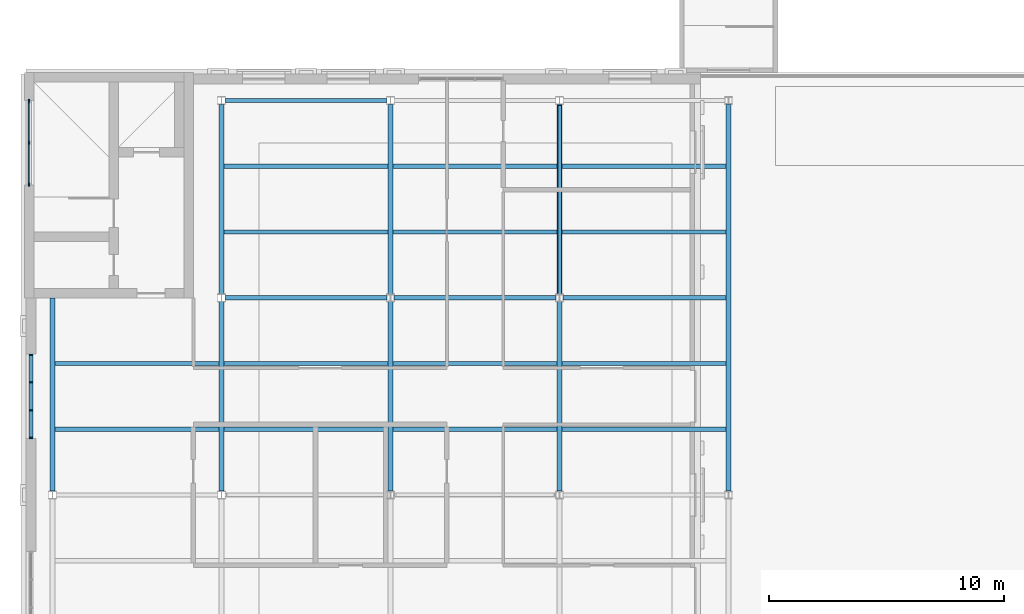
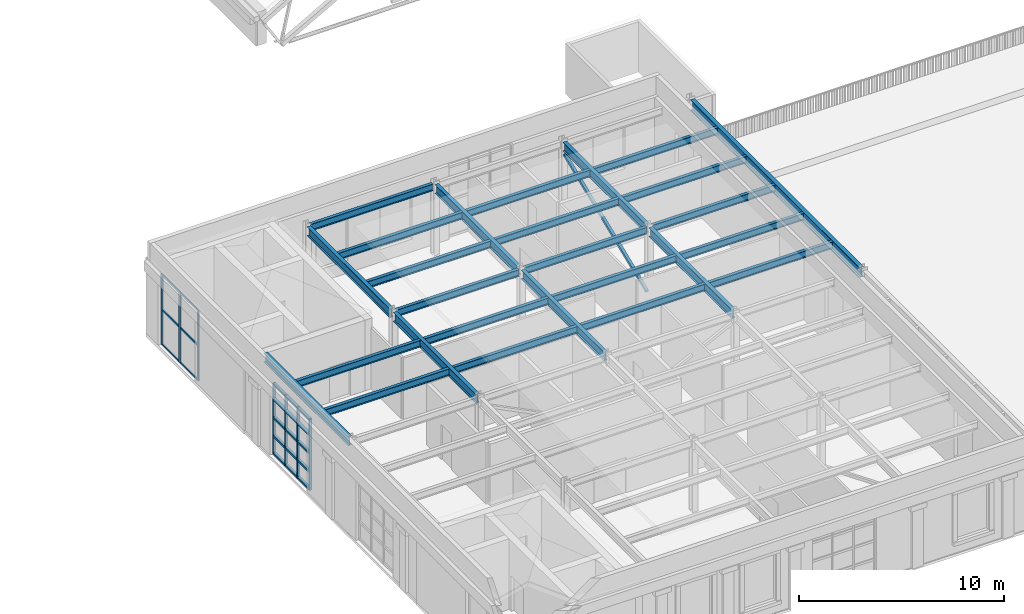
# One storey, part 5 of 127: 29 members, 26 beams, 2 elements without a shape of their own.
"""IFC4 building model written with IfcOpenShell, lengths in metres."""

from ifc_helpers import new_model, si_unit, direction, frame, origin, origin_2d, place, context, subcontext, project, spatial, rectangle, hollow_rectangle, i_section, extrude, material, layer, layer_set, material_profile, profile_set, type_object, element, aggregate, save


model = new_model("IFC4")

# Units and contexts
model_context = context("Model", 3, precision=1e-05, world=origin(), true_north=direction((0.0, 1.0)))
body_context = subcontext(model_context, "Body", "Model", "MODEL_VIEW")
ifc_project = project(units=[si_unit("LENGTHUNIT", "METRE"), si_unit("AREAUNIT", "SQUARE_METRE"), si_unit("VOLUMEUNIT", "CUBIC_METRE"), si_unit("PLANEANGLEUNIT", "RADIAN"), si_unit("MASSUNIT", "GRAM", prefix="KILO")], contexts=[model_context])

# Site, building, storey
site_placement = place(None, origin())
site = spatial("IfcSite", under=ifc_project, at=site_placement, CompositionType="ELEMENT")
building_placement = place(site_placement, origin())
building = spatial("IfcBuilding", under=site, at=building_placement, Name="Verrick Yard Athletic Hall", CompositionType="ELEMENT")
storey_placement = place(building_placement, frame((0.0, 0.0, 14.0)))
storey = spatial("IfcBuildingStorey", under=building, at=storey_placement, Name="L03", CompositionType="ELEMENT", Elevation=14.0)

# Curtain wall, members
ifc_material_1 = material(Name="Aluminium 6063-T5", Category="aluminium")
curtain_wall_type_1 = type_object("IfcCurtainWallType", Name="Core glazing strip", PredefinedType="NOTDEFINED", material=ifc_material_1)
curtain_wall_1_placement = place(storey_placement, origin())
curtain_wall_1 = element("IfcCurtainWall", 1, at=curtain_wall_1_placement, inside=storey, type_object=curtain_wall_type_1, Name="CORE-CB2-CW-L03", PredefinedType="NOTDEFINED")
ifc_material_profile_1 = material_profile(ifc_material_1, rectangle(XDim=0.06005859375, YDim=0.159912109375, at=origin_2d()), Name="Core glazing mullion 60x160")
ifc_profile_set_1 = profile_set([ifc_material_profile_1], Name="Aluminium 6063-T5")
member_type_1 = type_object("IfcMemberType", Name="Core glazing mullion 60x160", PredefinedType="MULLION", material=ifc_profile_set_1)
member_1_placement = place(storey_placement, frame((10.199951171875, 49.22998046875, 0.0), z_axis=(0.0, 0.0, 1.0), x_axis=(-1.0, 0.0, 0.0)))
member_1 = element("IfcMember", 2, at=member_1_placement, type_object=member_type_1, Name="CW5 mullion 1", PredefinedType="MULLION", context=body_context, shape_type="SweptSolid", body=[
    extrude(rectangle(XDim=0.06005859375, YDim=0.159912109375, at=origin_2d()), origin(), (0.0, 0.0, 1.0), 4.199951171875),
])
member_2_placement = place(storey_placement, frame((10.199951171875, 51.0, 0.0), z_axis=(0.0, 0.0, 1.0), x_axis=(-1.0, 0.0, 0.0)))
member_2 = element("IfcMember", 3, at=member_2_placement, type_object=member_type_1, Name="CW5 mullion 2", PredefinedType="MULLION", context=body_context, shape_type="SweptSolid", body=[
    extrude(rectangle(XDim=0.06005859375, YDim=0.159912109375, at=origin_2d()), origin(), (0.0, 0.0, 1.0), 4.199951171875),
])
member_3_placement = place(storey_placement, frame((10.199951171875, 52.77001953125, 0.0), z_axis=(0.0, 0.0, 1.0), x_axis=(-1.0, 0.0, 0.0)))
member_3 = element("IfcMember", 4, at=member_3_placement, type_object=member_type_1, Name="CW5 mullion 3", PredefinedType="MULLION", context=body_context, shape_type="SweptSolid", body=[
    extrude(rectangle(XDim=0.06005859375, YDim=0.159912109375, at=origin_2d()), origin(), (0.0, 0.0, 1.0), 4.199951171875),
])
ifc_material_profile_2 = material_profile(ifc_material_1, rectangle(XDim=0.06005859375, YDim=0.1201171875, at=origin_2d()), Name="Core glazing transom 60x120")
ifc_profile_set_2 = profile_set([ifc_material_profile_2], Name="Aluminium 6063-T5")
member_type_2 = type_object("IfcMemberType", Name="Core glazing transom 60x120", PredefinedType="USERDEFINED", material=ifc_profile_set_2)
member_4_placement = place(storey_placement, frame((10.199951171875, 49.260009765625, 0.030029296875), z_axis=(0.0, 1.0, 0.0), x_axis=(-1.0, 0.0, 0.0)))
member_4 = element("IfcMember", 5, at=member_4_placement, type_object=member_type_2, Name="CW5 transom 1.1", ObjectType="TRANSOM", PredefinedType="USERDEFINED", context=body_context, shape_type="SweptSolid", body=[
    extrude(rectangle(XDim=0.06005859375, YDim=0.1201171875, at=origin_2d()), origin(), (0.0, 0.0, 1.0), 1.7099609375),
])
member_5_placement = place(storey_placement, frame((10.199951171875, 49.260009765625, 2.10009765625), z_axis=(0.0, 1.0, 0.0), x_axis=(-1.0, 0.0, 0.0)))
member_5 = element("IfcMember", 6, at=member_5_placement, type_object=member_type_2, Name="CW5 transom 1.2", ObjectType="TRANSOM", PredefinedType="USERDEFINED", context=body_context, shape_type="SweptSolid", body=[
    extrude(rectangle(XDim=0.06005859375, YDim=0.1201171875, at=origin_2d()), origin(), (0.0, 0.0, 1.0), 1.7099609375),
])
member_6_placement = place(storey_placement, frame((10.199951171875, 49.260009765625, 4.169921875), z_axis=(0.0, 1.0, 0.0), x_axis=(-1.0, 0.0, 0.0)))
member_6 = element("IfcMember", 7, at=member_6_placement, type_object=member_type_2, Name="CW5 transom 1.3", ObjectType="TRANSOM", PredefinedType="USERDEFINED", context=body_context, shape_type="SweptSolid", body=[
    extrude(rectangle(XDim=0.06005859375, YDim=0.1201171875, at=origin_2d()), origin(), (0.0, 0.0, 1.0), 1.7099609375),
])
member_7_placement = place(storey_placement, frame((10.199951171875, 51.030029296875, 0.030029296875), z_axis=(0.0, 1.0, 0.0), x_axis=(-1.0, 0.0, 0.0)))
member_7 = element("IfcMember", 8, at=member_7_placement, type_object=member_type_2, Name="CW5 transom 2.1", ObjectType="TRANSOM", PredefinedType="USERDEFINED", context=body_context, shape_type="SweptSolid", body=[
    extrude(rectangle(XDim=0.06005859375, YDim=0.1201171875, at=origin_2d()), origin(), (0.0, 0.0, 1.0), 1.7099609375),
])
member_8_placement = place(storey_placement, frame((10.199951171875, 51.030029296875, 2.10009765625), z_axis=(0.0, 1.0, 0.0), x_axis=(-1.0, 0.0, 0.0)))
member_8 = element("IfcMember", 9, at=member_8_placement, type_object=member_type_2, Name="CW5 transom 2.2", ObjectType="TRANSOM", PredefinedType="USERDEFINED", context=body_context, shape_type="SweptSolid", body=[
    extrude(rectangle(XDim=0.06005859375, YDim=0.1201171875, at=origin_2d()), origin(), (0.0, 0.0, 1.0), 1.7099609375),
])
member_9_placement = place(storey_placement, frame((10.199951171875, 51.030029296875, 4.169921875), z_axis=(0.0, 1.0, 0.0), x_axis=(-1.0, 0.0, 0.0)))
member_9 = element("IfcMember", 10, at=member_9_placement, type_object=member_type_2, Name="CW5 transom 2.3", ObjectType="TRANSOM", PredefinedType="USERDEFINED", context=body_context, shape_type="SweptSolid", body=[
    extrude(rectangle(XDim=0.06005859375, YDim=0.1201171875, at=origin_2d()), origin(), (0.0, 0.0, 1.0), 1.7099609375),
])
aggregate(curtain_wall_1, [member_1, member_2, member_3, member_4, member_5, member_6, member_7, member_8, member_9])

ifc_material_2 = material(Name="Anodised aluminium", Category="aluminium")
ifc_layer = layer(ifc_material_2, 0.199951171875)
ifc_layer_set = layer_set([ifc_layer], Name="Front glazing")
curtain_wall_type_2 = type_object("IfcCurtainWallType", Name="Front glazing", PredefinedType="NOTDEFINED", material=ifc_layer_set)
curtain_wall_2_placement = place(storey_placement, origin())
curtain_wall_2 = element("IfcCurtainWall", 11, at=curtain_wall_2_placement, inside=storey, type_object=curtain_wall_type_2, Name="ENVB-WW-L03-CW384", PredefinedType="NOTDEFINED")
ifc_material_profile_3 = material_profile(ifc_material_2, rectangle(XDim=0.159912109375, YDim=0.06005859375, at=origin_2d()), Name="CW mullion 60x160")
ifc_profile_set_3 = profile_set([ifc_material_profile_3], Name="Anodised aluminium")
member_type_3 = type_object("IfcMemberType", Name="Front glazing mullion 60x160", PredefinedType="MULLION", material=ifc_profile_set_3)
member_10_placement = place(storey_placement, frame((10.28125, 38.429931640625, 0.0), z_axis=(0.0, 0.0, 1.0), x_axis=(-1.0, 0.0, 0.0)))
member_10 = element("IfcMember", 12, at=member_10_placement, type_object=member_type_3, Name="ENVB-WW-L03-CW384/M00", PredefinedType="MULLION", context=body_context, shape_type="SweptSolid", body=[
    extrude(rectangle(XDim=0.159912109375, YDim=0.06005859375, at=origin_2d()), origin(), (0.0, 0.0, 1.0), 4.25),
])
member_11_placement = place(storey_placement, frame((10.28125, 39.60009765625, 0.0), z_axis=(0.0, 0.0, 1.0), x_axis=(-1.0, 0.0, 0.0)))
member_11 = element("IfcMember", 13, at=member_11_placement, type_object=member_type_3, Name="ENVB-WW-L03-CW384/M01", PredefinedType="MULLION", context=body_context, shape_type="SweptSolid", body=[
    extrude(rectangle(XDim=0.159912109375, YDim=0.06005859375, at=origin_2d()), origin(), (0.0, 0.0, 1.0), 4.25),
])
member_12_placement = place(storey_placement, frame((10.28125, 40.800048828125, 0.0), z_axis=(0.0, 0.0, 1.0), x_axis=(-1.0, 0.0, 0.0)))
member_12 = element("IfcMember", 14, at=member_12_placement, type_object=member_type_3, Name="ENVB-WW-L03-CW384/M02", PredefinedType="MULLION", context=body_context, shape_type="SweptSolid", body=[
    extrude(rectangle(XDim=0.159912109375, YDim=0.06005859375, at=origin_2d()), origin(), (0.0, 0.0, 1.0), 4.25),
])
member_13_placement = place(storey_placement, frame((10.28125, 41.969970703125, 0.0), z_axis=(0.0, 0.0, 1.0), x_axis=(-1.0, 0.0, 0.0)))
member_13 = element("IfcMember", 15, at=member_13_placement, type_object=member_type_3, Name="ENVB-WW-L03-CW384/M03", PredefinedType="MULLION", context=body_context, shape_type="SweptSolid", body=[
    extrude(rectangle(XDim=0.159912109375, YDim=0.06005859375, at=origin_2d()), origin(), (0.0, 0.0, 1.0), 4.25),
])
ifc_material_profile_4 = material_profile(ifc_material_2, rectangle(XDim=0.159912109375, YDim=0.1201171875, at=origin_2d()), Name="CW transom 160x120")
ifc_profile_set_4 = profile_set([ifc_material_profile_4], Name="Anodised aluminium")
member_type_4 = type_object("IfcMemberType", Name="Front glazing transom 160x120", PredefinedType="USERDEFINED", material=ifc_profile_set_4)
member_14_placement = place(storey_placement, frame((10.28125, 38.4599609375, 0.06005859375), z_axis=(0.0, 1.0, 0.0), x_axis=(-1.0, 0.0, 0.0)))
member_14 = element("IfcMember", 16, at=member_14_placement, type_object=member_type_4, Name="ENVB-WW-L03-CW384/T00-00", ObjectType="TRANSOM", PredefinedType="USERDEFINED", context=body_context, shape_type="SweptSolid", body=[
    extrude(rectangle(XDim=0.159912109375, YDim=0.1201171875, at=origin_2d()), origin(), (0.0, 0.0, 1.0), 1.110107421875),
])
member_15_placement = place(storey_placement, frame((10.28125, 38.4599609375, 1.10009765625), z_axis=(0.0, 1.0, 0.0), x_axis=(-1.0, 0.0, 0.0)))
member_15 = element("IfcMember", 17, at=member_15_placement, type_object=member_type_4, Name="ENVB-WW-L03-CW384/T00-01", ObjectType="TRANSOM", PredefinedType="USERDEFINED", context=body_context, shape_type="SweptSolid", body=[
    extrude(rectangle(XDim=0.159912109375, YDim=0.1201171875, at=origin_2d()), origin(), (0.0, 0.0, 1.0), 1.110107421875),
])
member_16_placement = place(storey_placement, frame((10.28125, 38.4599609375, 2.199951171875), z_axis=(0.0, 1.0, 0.0), x_axis=(-1.0, 0.0, 0.0)))
member_16 = element("IfcMember", 18, at=member_16_placement, type_object=member_type_4, Name="ENVB-WW-L03-CW384/T00-02", ObjectType="TRANSOM", PredefinedType="USERDEFINED", context=body_context, shape_type="SweptSolid", body=[
    extrude(rectangle(XDim=0.159912109375, YDim=0.1201171875, at=origin_2d()), origin(), (0.0, 0.0, 1.0), 1.110107421875),
])
member_17_placement = place(storey_placement, frame((10.28125, 38.4599609375, 3.300048828125), z_axis=(0.0, 1.0, 0.0), x_axis=(-1.0, 0.0, 0.0)))
member_17 = element("IfcMember", 19, at=member_17_placement, type_object=member_type_4, Name="ENVB-WW-L03-CW384/T00-03", ObjectType="TRANSOM", PredefinedType="USERDEFINED", context=body_context, shape_type="SweptSolid", body=[
    extrude(rectangle(XDim=0.159912109375, YDim=0.1201171875, at=origin_2d()), origin(), (0.0, 0.0, 1.0), 1.110107421875),
])
member_18_placement = place(storey_placement, frame((10.28125, 38.4599609375, 4.18994140625), z_axis=(0.0, 1.0, 0.0), x_axis=(-1.0, 0.0, 0.0)))
member_18 = element("IfcMember", 20, at=member_18_placement, type_object=member_type_4, Name="ENVB-WW-L03-CW384/T00-04", ObjectType="TRANSOM", PredefinedType="USERDEFINED", context=body_context, shape_type="SweptSolid", body=[
    extrude(rectangle(XDim=0.159912109375, YDim=0.1201171875, at=origin_2d()), origin(), (0.0, 0.0, 1.0), 1.110107421875),
])
member_19_placement = place(storey_placement, frame((10.28125, 39.6298828125, 0.06005859375), z_axis=(0.0, 1.0, 0.0), x_axis=(-1.0, 0.0, 0.0)))
member_19 = element("IfcMember", 21, at=member_19_placement, type_object=member_type_4, Name="ENVB-WW-L03-CW384/T01-00", ObjectType="TRANSOM", PredefinedType="USERDEFINED", context=body_context, shape_type="SweptSolid", body=[
    extrude(rectangle(XDim=0.159912109375, YDim=0.1201171875, at=origin_2d()), origin(), (0.0, 0.0, 1.0), 1.14013671875),
])
member_20_placement = place(storey_placement, frame((10.28125, 39.6298828125, 1.10009765625), z_axis=(0.0, 1.0, 0.0), x_axis=(-1.0, 0.0, 0.0)))
member_20 = element("IfcMember", 22, at=member_20_placement, type_object=member_type_4, Name="ENVB-WW-L03-CW384/T01-01", ObjectType="TRANSOM", PredefinedType="USERDEFINED", context=body_context, shape_type="SweptSolid", body=[
    extrude(rectangle(XDim=0.159912109375, YDim=0.1201171875, at=origin_2d()), origin(), (0.0, 0.0, 1.0), 1.14013671875),
])
member_21_placement = place(storey_placement, frame((10.28125, 39.6298828125, 2.199951171875), z_axis=(0.0, 1.0, 0.0), x_axis=(-1.0, 0.0, 0.0)))
member_21 = element("IfcMember", 23, at=member_21_placement, type_object=member_type_4, Name="ENVB-WW-L03-CW384/T01-02", ObjectType="TRANSOM", PredefinedType="USERDEFINED", context=body_context, shape_type="SweptSolid", body=[
    extrude(rectangle(XDim=0.159912109375, YDim=0.1201171875, at=origin_2d()), origin(), (0.0, 0.0, 1.0), 1.14013671875),
])
member_22_placement = place(storey_placement, frame((10.28125, 39.6298828125, 3.300048828125), z_axis=(0.0, 1.0, 0.0), x_axis=(-1.0, 0.0, 0.0)))
member_22 = element("IfcMember", 24, at=member_22_placement, type_object=member_type_4, Name="ENVB-WW-L03-CW384/T01-03", ObjectType="TRANSOM", PredefinedType="USERDEFINED", context=body_context, shape_type="SweptSolid", body=[
    extrude(rectangle(XDim=0.159912109375, YDim=0.1201171875, at=origin_2d()), origin(), (0.0, 0.0, 1.0), 1.14013671875),
])
member_23_placement = place(storey_placement, frame((10.28125, 39.6298828125, 4.18994140625), z_axis=(0.0, 1.0, 0.0), x_axis=(-1.0, 0.0, 0.0)))
member_23 = element("IfcMember", 25, at=member_23_placement, type_object=member_type_4, Name="ENVB-WW-L03-CW384/T01-04", ObjectType="TRANSOM", PredefinedType="USERDEFINED", context=body_context, shape_type="SweptSolid", body=[
    extrude(rectangle(XDim=0.159912109375, YDim=0.1201171875, at=origin_2d()), origin(), (0.0, 0.0, 1.0), 1.14013671875),
])
member_24_placement = place(storey_placement, frame((10.28125, 40.830078125, 0.06005859375), z_axis=(0.0, 1.0, 0.0), x_axis=(-1.0, 0.0, 0.0)))
member_24 = element("IfcMember", 26, at=member_24_placement, type_object=member_type_4, Name="ENVB-WW-L03-CW384/T02-00", ObjectType="TRANSOM", PredefinedType="USERDEFINED", context=body_context, shape_type="SweptSolid", body=[
    extrude(rectangle(XDim=0.159912109375, YDim=0.1201171875, at=origin_2d()), origin(), (0.0, 0.0, 1.0), 1.10986328125),
])
member_25_placement = place(storey_placement, frame((10.28125, 40.830078125, 1.10009765625), z_axis=(0.0, 1.0, 0.0), x_axis=(-1.0, 0.0, 0.0)))
member_25 = element("IfcMember", 27, at=member_25_placement, type_object=member_type_4, Name="ENVB-WW-L03-CW384/T02-01", ObjectType="TRANSOM", PredefinedType="USERDEFINED", context=body_context, shape_type="SweptSolid", body=[
    extrude(rectangle(XDim=0.159912109375, YDim=0.1201171875, at=origin_2d()), origin(), (0.0, 0.0, 1.0), 1.10986328125),
])
member_26_placement = place(storey_placement, frame((10.28125, 40.830078125, 2.199951171875), z_axis=(0.0, 1.0, 0.0), x_axis=(-1.0, 0.0, 0.0)))
member_26 = element("IfcMember", 28, at=member_26_placement, type_object=member_type_4, Name="ENVB-WW-L03-CW384/T02-02", ObjectType="TRANSOM", PredefinedType="USERDEFINED", context=body_context, shape_type="SweptSolid", body=[
    extrude(rectangle(XDim=0.159912109375, YDim=0.1201171875, at=origin_2d()), origin(), (0.0, 0.0, 1.0), 1.10986328125),
])
member_27_placement = place(storey_placement, frame((10.28125, 40.830078125, 3.300048828125), z_axis=(0.0, 1.0, 0.0), x_axis=(-1.0, 0.0, 0.0)))
member_27 = element("IfcMember", 29, at=member_27_placement, type_object=member_type_4, Name="ENVB-WW-L03-CW384/T02-03", ObjectType="TRANSOM", PredefinedType="USERDEFINED", context=body_context, shape_type="SweptSolid", body=[
    extrude(rectangle(XDim=0.159912109375, YDim=0.1201171875, at=origin_2d()), origin(), (0.0, 0.0, 1.0), 1.10986328125),
])
member_28_placement = place(storey_placement, frame((10.28125, 40.830078125, 4.18994140625), z_axis=(0.0, 1.0, 0.0), x_axis=(-1.0, 0.0, 0.0)))
member_28 = element("IfcMember", 30, at=member_28_placement, type_object=member_type_4, Name="ENVB-WW-L03-CW384/T02-04", ObjectType="TRANSOM", PredefinedType="USERDEFINED", context=body_context, shape_type="SweptSolid", body=[
    extrude(rectangle(XDim=0.159912109375, YDim=0.1201171875, at=origin_2d()), origin(), (0.0, 0.0, 1.0), 1.10986328125),
])
aggregate(curtain_wall_2, [member_10, member_11, member_12, member_13, member_14, member_15, member_16, member_17, member_18, member_19, member_20, member_21, member_22, member_23, member_24, member_25, member_26, member_27, member_28])

# Member
ifc_material_3 = material(Name="Structural steel HSS Class C 350W (CSA G40.20/G40.21)", Category="steel")
ifc_material_profile_5 = material_profile(ifc_material_3, hollow_rectangle(XDim=0.15234375, YDim=0.15234375, WallThickness=0.009521484375, at=origin_2d()), Name="HSS152x152x9.5")
ifc_profile_set_5 = profile_set([ifc_material_profile_5], Name="Structural steel HSS Class C 350W (CSA G40.20/G40.21)")
member_type_5 = type_object("IfcMemberType", Name="STR Wing brace HSS152x152x9.5", PredefinedType="BRACE", material=ifc_profile_set_5)
member_29_placement = place(storey_placement, frame((32.800048828125, 44.589599609375, 0.21142578125), z_axis=(0.0, 0.925035720113, 0.379880134405), x_axis=(-1.0, 0.0, 0.0)))
element("IfcMember", 31, at=member_29_placement, inside=storey, type_object=member_type_5, Name="STR-BR-W4-L03", PredefinedType="BRACE", context=body_context, shape_type="SweptSolid", body=[
    extrude(hollow_rectangle(XDim=0.15234375, YDim=0.15234375, WallThickness=0.009521484375, at=origin_2d()), origin(), (0.0, 0.0, 1.0), 8.6708984375),
])

# Beams
ifc_material_4 = material(Name="Structural steel 350W (CSA G40.21)", Category="steel")
ifc_material_profile_6 = material_profile(ifc_material_4, i_section(OverallWidth=0.22802734375, OverallDepth=0.60791015625, WebThickness=0.01123046875, FlangeThickness=0.017333984375, at=origin_2d()), Name="W610x113")
ifc_profile_set_6 = profile_set([ifc_material_profile_6], Name="Structural steel 350W (CSA G40.21)")
beam_type_1 = type_object("IfcBeamType", Name="STR Wing edge girder W610x113", PredefinedType="BEAM", material=ifc_profile_set_6)
beam_1_placement = place(storey_placement, frame((40.0, 36.16162109375, 3.946044921875), z_axis=(0.0, 1.0, 0.0), x_axis=(-1.0, 0.0, 0.0)))
element("IfcBeam", 32, at=beam_1_placement, inside=storey, type_object=beam_type_1, Name="STR-GB-WER-2", PredefinedType="BEAM", context=body_context, shape_type="SweptSolid", body=[
    extrude(i_section(OverallWidth=0.22802734375, OverallDepth=0.60791015625, WebThickness=0.01123046875, FlangeThickness=0.017333984375, at=origin_2d()), origin(), (0.0, 0.0, 1.0), 16.476806640625),
])
ifc_material_profile_7 = material_profile(ifc_material_4, i_section(OverallWidth=0.177978515625, OverallDepth=0.406982421875, WebThickness=0.0078125, FlangeThickness=0.0126953125, at=origin_2d()), Name="W410x60")
ifc_profile_set_7 = profile_set([ifc_material_profile_7], Name="Structural steel 350W (CSA G40.21)")
beam_type_2 = type_object("IfcBeamType", Name="STR Wing floor beam W410x60", PredefinedType="BEAM", material=ifc_profile_set_7)
for number, where, z_axis, x_axis, name in (
    (33, (18.554443359375, 44.39990234375, 4.04638671875), (1.0, 0.0, 0.0), (0.0, 1.0, 0.0), "STR-B-W184-44.4-1"),
    (34, (25.75439453125, 44.39990234375, 4.04638671875), (1.0, 0.0, 0.0), (0.0, 1.0, 0.0), "STR-B-W184-44.4-2"),
):
    element("IfcBeam", number, at=place(storey_placement, frame(where, z_axis=z_axis, x_axis=x_axis)), inside=storey, type_object=beam_type_2, Name=name, PredefinedType="BEAM", context=body_context, shape_type="SweptSolid", body=[
        extrude(i_section(OverallWidth=0.177978515625, OverallDepth=0.406982421875, WebThickness=0.0078125, FlangeThickness=0.0126953125, at=origin_2d()), origin(), (0.0, 0.0, 1.0), 6.89111328125),
    ])
beam_2_placement = place(storey_placement, frame((32.95458984375, 44.39990234375, 4.04638671875), z_axis=(1.0, 0.0, 0.0), x_axis=(0.0, 1.0, 0.0)))
element("IfcBeam", 35, at=beam_2_placement, inside=storey, type_object=beam_type_2, Name="STR-B-W184-44.4-3", PredefinedType="BEAM", context=body_context, shape_type="SweptSolid", body=[
    extrude(i_section(OverallWidth=0.177978515625, OverallDepth=0.406982421875, WebThickness=0.0078125, FlangeThickness=0.0126953125, at=origin_2d()), origin(), (0.0, 0.0, 1.0), 6.931396484375),
])
beam_3_placement = place(storey_placement, frame((18.554443359375, 52.800048828125, 4.04638671875), z_axis=(1.0, 0.0, 0.0), x_axis=(0.0, 1.0, 0.0)))
element("IfcBeam", 36, at=beam_3_placement, inside=storey, type_object=beam_type_2, Name="STR-B-W184-52.8-1", PredefinedType="BEAM", context=body_context, shape_type="SweptSolid", body=[
    extrude(i_section(OverallWidth=0.177978515625, OverallDepth=0.406982421875, WebThickness=0.0078125, FlangeThickness=0.0126953125, at=origin_2d()), origin(), (0.0, 0.0, 1.0), 6.89111328125),
])
beam_4_placement = place(storey_placement, frame((11.304443359375, 38.800048828125, 4.04638671875), z_axis=(1.0, 0.0, 0.0), x_axis=(0.0, 1.0, 0.0)))
element("IfcBeam", 37, at=beam_4_placement, inside=storey, type_object=beam_type_2, Name="STR-B-W184-38.8-1", PredefinedType="BEAM", context=body_context, shape_type="SweptSolid", body=[
    extrude(i_section(OverallWidth=0.177978515625, OverallDepth=0.406982421875, WebThickness=0.0078125, FlangeThickness=0.0126953125, at=origin_2d()), origin(), (0.0, 0.0, 1.0), 6.990966796875),
])
beam_5_placement = place(storey_placement, frame((18.50439453125, 38.800048828125, 4.04638671875), z_axis=(1.0, 0.0, 0.0), x_axis=(0.0, 1.0, 0.0)))
element("IfcBeam", 38, at=beam_5_placement, inside=storey, type_object=beam_type_2, Name="STR-B-W184-38.8-2", PredefinedType="BEAM", context=body_context, shape_type="SweptSolid", body=[
    extrude(i_section(OverallWidth=0.177978515625, OverallDepth=0.406982421875, WebThickness=0.0078125, FlangeThickness=0.0126953125, at=origin_2d()), origin(), (0.0, 0.0, 1.0), 6.9912109375),
])
beam_6_placement = place(storey_placement, frame((25.70458984375, 38.800048828125, 4.04638671875), z_axis=(1.0, 0.0, 0.0), x_axis=(0.0, 1.0, 0.0)))
element("IfcBeam", 39, at=beam_6_placement, inside=storey, type_object=beam_type_2, Name="STR-B-W184-38.8-3", PredefinedType="BEAM", context=body_context, shape_type="SweptSolid", body=[
    extrude(i_section(OverallWidth=0.177978515625, OverallDepth=0.406982421875, WebThickness=0.0078125, FlangeThickness=0.0126953125, at=origin_2d()), origin(), (0.0, 0.0, 1.0), 6.990966796875),
])
beam_7_placement = place(storey_placement, frame((32.904541015625, 38.800048828125, 4.04638671875), z_axis=(1.0, 0.0, 0.0), x_axis=(0.0, 1.0, 0.0)))
element("IfcBeam", 40, at=beam_7_placement, inside=storey, type_object=beam_type_2, Name="STR-B-W184-38.8-4", PredefinedType="BEAM", context=body_context, shape_type="SweptSolid", body=[
    extrude(i_section(OverallWidth=0.177978515625, OverallDepth=0.406982421875, WebThickness=0.0078125, FlangeThickness=0.0126953125, at=origin_2d()), origin(), (0.0, 0.0, 1.0), 6.9814453125),
])
beam_8_placement = place(storey_placement, frame((11.304443359375, 41.60009765625, 4.04638671875), z_axis=(1.0, 0.0, 0.0), x_axis=(0.0, 1.0, 0.0)))
element("IfcBeam", 41, at=beam_8_placement, inside=storey, type_object=beam_type_2, Name="STR-B-W184-41.6-1", PredefinedType="BEAM", context=body_context, shape_type="SweptSolid", body=[
    extrude(i_section(OverallWidth=0.177978515625, OverallDepth=0.406982421875, WebThickness=0.0078125, FlangeThickness=0.0126953125, at=origin_2d()), origin(), (0.0, 0.0, 1.0), 6.990966796875),
])
beam_9_placement = place(storey_placement, frame((18.50439453125, 41.60009765625, 4.04638671875), z_axis=(1.0, 0.0, 0.0), x_axis=(0.0, 1.0, 0.0)))
element("IfcBeam", 42, at=beam_9_placement, inside=storey, type_object=beam_type_2, Name="STR-B-W184-41.6-2", PredefinedType="BEAM", context=body_context, shape_type="SweptSolid", body=[
    extrude(i_section(OverallWidth=0.177978515625, OverallDepth=0.406982421875, WebThickness=0.0078125, FlangeThickness=0.0126953125, at=origin_2d()), origin(), (0.0, 0.0, 1.0), 6.9912109375),
])
beam_10_placement = place(storey_placement, frame((25.70458984375, 41.60009765625, 4.04638671875), z_axis=(1.0, 0.0, 0.0), x_axis=(0.0, 1.0, 0.0)))
element("IfcBeam", 43, at=beam_10_placement, inside=storey, type_object=beam_type_2, Name="STR-B-W184-41.6-3", PredefinedType="BEAM", context=body_context, shape_type="SweptSolid", body=[
    extrude(i_section(OverallWidth=0.177978515625, OverallDepth=0.406982421875, WebThickness=0.0078125, FlangeThickness=0.0126953125, at=origin_2d()), origin(), (0.0, 0.0, 1.0), 6.990966796875),
])
beam_11_placement = place(storey_placement, frame((32.904541015625, 41.60009765625, 4.04638671875), z_axis=(1.0, 0.0, 0.0), x_axis=(0.0, 1.0, 0.0)))
element("IfcBeam", 44, at=beam_11_placement, inside=storey, type_object=beam_type_2, Name="STR-B-W184-41.6-4", PredefinedType="BEAM", context=body_context, shape_type="SweptSolid", body=[
    extrude(i_section(OverallWidth=0.177978515625, OverallDepth=0.406982421875, WebThickness=0.0078125, FlangeThickness=0.0126953125, at=origin_2d()), origin(), (0.0, 0.0, 1.0), 6.9814453125),
])
beam_12_placement = place(storey_placement, frame((18.50439453125, 47.199951171875, 4.04638671875), z_axis=(1.0, 0.0, 0.0), x_axis=(0.0, 1.0, 0.0)))
element("IfcBeam", 45, at=beam_12_placement, inside=storey, type_object=beam_type_2, Name="STR-B-W184-47.2-1", PredefinedType="BEAM", context=body_context, shape_type="SweptSolid", body=[
    extrude(i_section(OverallWidth=0.177978515625, OverallDepth=0.406982421875, WebThickness=0.0078125, FlangeThickness=0.0126953125, at=origin_2d()), origin(), (0.0, 0.0, 1.0), 6.9912109375),
])
beam_13_placement = place(storey_placement, frame((25.70458984375, 47.199951171875, 4.04638671875), z_axis=(1.0, 0.0, 0.0), x_axis=(0.0, 1.0, 0.0)))
element("IfcBeam", 46, at=beam_13_placement, inside=storey, type_object=beam_type_2, Name="STR-B-W184-47.2-2", PredefinedType="BEAM", context=body_context, shape_type="SweptSolid", body=[
    extrude(i_section(OverallWidth=0.177978515625, OverallDepth=0.406982421875, WebThickness=0.0078125, FlangeThickness=0.0126953125, at=origin_2d()), origin(), (0.0, 0.0, 1.0), 6.990966796875),
])
beam_14_placement = place(storey_placement, frame((32.904541015625, 47.199951171875, 4.04638671875), z_axis=(1.0, 0.0, 0.0), x_axis=(0.0, 1.0, 0.0)))
element("IfcBeam", 47, at=beam_14_placement, inside=storey, type_object=beam_type_2, Name="STR-B-W184-47.2-3", PredefinedType="BEAM", context=body_context, shape_type="SweptSolid", body=[
    extrude(i_section(OverallWidth=0.177978515625, OverallDepth=0.406982421875, WebThickness=0.0078125, FlangeThickness=0.0126953125, at=origin_2d()), origin(), (0.0, 0.0, 1.0), 6.9814453125),
])
beam_15_placement = place(storey_placement, frame((18.50439453125, 50.0, 4.04638671875), z_axis=(1.0, 0.0, 0.0), x_axis=(0.0, 1.0, 0.0)))
element("IfcBeam", 48, at=beam_15_placement, inside=storey, type_object=beam_type_2, Name="STR-B-W184-50-1", PredefinedType="BEAM", context=body_context, shape_type="SweptSolid", body=[
    extrude(i_section(OverallWidth=0.177978515625, OverallDepth=0.406982421875, WebThickness=0.0078125, FlangeThickness=0.0126953125, at=origin_2d()), origin(), (0.0, 0.0, 1.0), 6.9912109375),
])
beam_16_placement = place(storey_placement, frame((25.70458984375, 50.0, 4.04638671875), z_axis=(1.0, 0.0, 0.0), x_axis=(0.0, 1.0, 0.0)))
element("IfcBeam", 49, at=beam_16_placement, inside=storey, type_object=beam_type_2, Name="STR-B-W184-50-2", PredefinedType="BEAM", context=body_context, shape_type="SweptSolid", body=[
    extrude(i_section(OverallWidth=0.177978515625, OverallDepth=0.406982421875, WebThickness=0.0078125, FlangeThickness=0.0126953125, at=origin_2d()), origin(), (0.0, 0.0, 1.0), 6.990966796875),
])
beam_17_placement = place(storey_placement, frame((32.904541015625, 50.0, 4.04638671875), z_axis=(1.0, 0.0, 0.0), x_axis=(0.0, 1.0, 0.0)))
element("IfcBeam", 50, at=beam_17_placement, inside=storey, type_object=beam_type_2, Name="STR-B-W184-50-3", PredefinedType="BEAM", context=body_context, shape_type="SweptSolid", body=[
    extrude(i_section(OverallWidth=0.177978515625, OverallDepth=0.406982421875, WebThickness=0.0078125, FlangeThickness=0.0126953125, at=origin_2d()), origin(), (0.0, 0.0, 1.0), 6.9814453125),
])
ifc_material_profile_8 = material_profile(ifc_material_4, i_section(OverallWidth=0.208984375, OverallDepth=0.532958984375, WebThickness=0.01025390625, FlangeThickness=0.015625, at=origin_2d()), Name="W530x92")
ifc_profile_set_8 = profile_set([ifc_material_profile_8], Name="Structural steel 350W (CSA G40.21)")
beam_type_3 = type_object("IfcBeamType", Name="STR Wing girder W530x92", PredefinedType="BEAM", material=ifc_profile_set_8)
beam_18_placement = place(storey_placement, frame((11.199951171875, 36.16162109375, 3.9833984375), z_axis=(0.0, 1.0, 0.0), x_axis=(-1.0, 0.0, 0.0)))
element("IfcBeam", 51, at=beam_18_placement, inside=storey, type_object=beam_type_3, Name="STR-GB-W184-11.2-2", PredefinedType="BEAM", context=body_context, shape_type="SweptSolid", body=[
    extrude(i_section(OverallWidth=0.208984375, OverallDepth=0.532958984375, WebThickness=0.01025390625, FlangeThickness=0.015625, at=origin_2d()), origin(), (0.0, 0.0, 1.0), 8.23828125),
])
for number, where, z_axis, x_axis, name in (
    (52, (18.39990234375, 36.16162109375, 3.9833984375), (0.0, 1.0, 0.0), (-1.0, 0.0, 0.0), "STR-GB-W184-18.4-3"),
    (53, (18.39990234375, 44.5615234375, 3.9833984375), (0.0, 1.0, 0.0), (-1.0, 0.0, 0.0), "STR-GB-W184-18.4-4"),
    (54, (25.60009765625, 36.16162109375, 3.9833984375), (0.0, 1.0, 0.0), (-1.0, 0.0, 0.0), "STR-GB-W184-25.6-3"),
    (55, (25.60009765625, 44.5615234375, 3.9833984375), (0.0, 1.0, 0.0), (-1.0, 0.0, 0.0), "STR-GB-W184-25.6-4"),
    (56, (32.800048828125, 36.16162109375, 3.9833984375), (0.0, 1.0, 0.0), (-1.0, 0.0, 0.0), "STR-GB-W184-32.8-3"),
    (57, (32.800048828125, 44.5615234375, 3.9833984375), (0.0, 1.0, 0.0), (-1.0, 0.0, 0.0), "STR-GB-W184-32.8-4"),
):
    element("IfcBeam", number, at=place(storey_placement, frame(where, z_axis=z_axis, x_axis=x_axis)), inside=storey, type_object=beam_type_3, Name=name, PredefinedType="BEAM", context=body_context, shape_type="SweptSolid", body=[
        extrude(i_section(OverallWidth=0.208984375, OverallDepth=0.532958984375, WebThickness=0.01025390625, FlangeThickness=0.015625, at=origin_2d()), origin(), (0.0, 0.0, 1.0), 8.076904296875),
    ])

save(model, "model.ifc")
